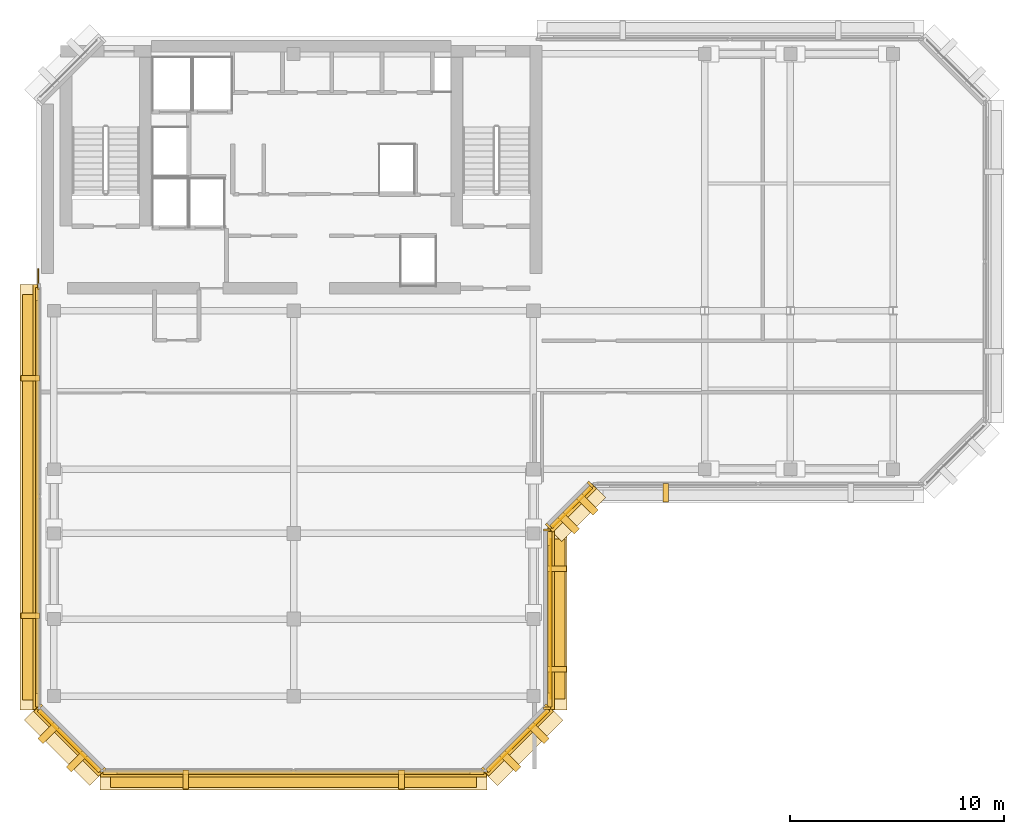
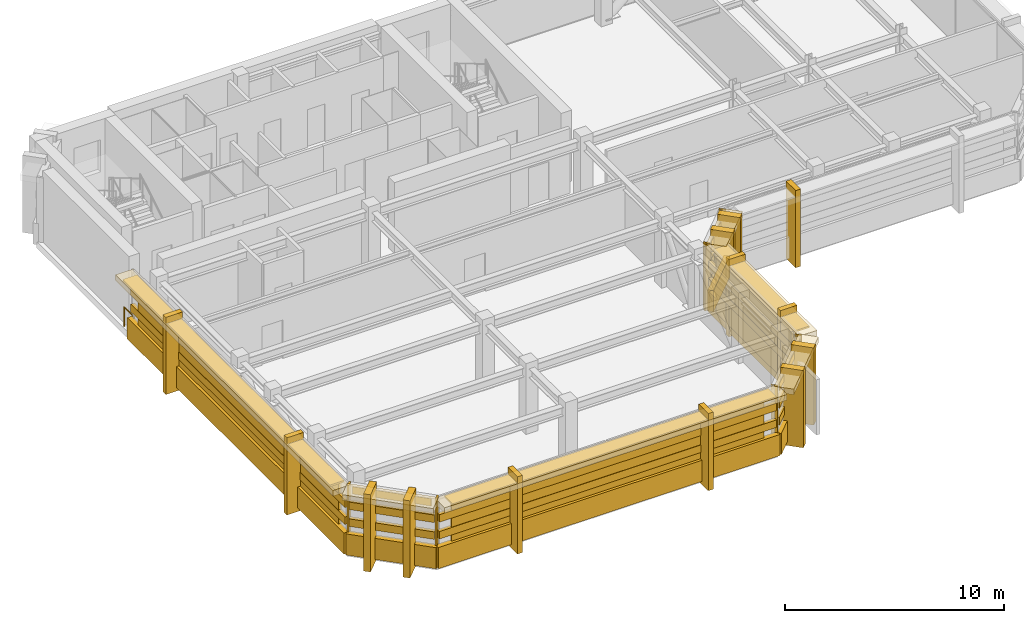
# One storey, part 7 of 9: 49 coverings, 6 shading devices, 1 railing.
"""IFC4 building model written with IfcOpenShell, lengths in metres."""

from ifc_helpers import new_model, si_unit, direction, frame, origin, origin_2d, place, context, subcontext, project, spatial, rectangle, circle, extrude, material, layer, layer_set, type_object, element, save


model = new_model("IFC4")

# Units and contexts
model_context = context("Model", 3, precision=1e-05, world=origin(), true_north=direction((0.0, 1.0)))
body_context = subcontext(model_context, "Body", "Model", "MODEL_VIEW")
ifc_project = project(units=[si_unit("LENGTHUNIT", "METRE"), si_unit("AREAUNIT", "SQUARE_METRE"), si_unit("VOLUMEUNIT", "CUBIC_METRE"), si_unit("PLANEANGLEUNIT", "RADIAN"), si_unit("MASSUNIT", "GRAM", prefix="KILO")], contexts=[model_context])

# Site, building, storey
site_placement = place(None, origin())
site = spatial("IfcSite", under=ifc_project, at=site_placement, CompositionType="ELEMENT")
building_placement = place(site_placement, origin())
building = spatial("IfcBuilding", under=site, at=building_placement, Name="Kefirva Bronze Tower", CompositionType="ELEMENT")
storey_placement = place(building_placement, frame((0.0, 0.0, 365.969970703125)))
storey = spatial("IfcBuildingStorey", under=building, at=storey_placement, Name="L89", CompositionType="ELEMENT", Elevation=365.969970703125)

# Coverings
ifc_material_1 = material(Name="Bronze anodised aluminium", Category="aluminium")
ifc_layer_1 = layer(ifc_material_1, 0.02001953125, Name="Bronze anodised aluminium")
ifc_layer_set_1 = layer_set([ifc_layer_1], Name="Bronze anodised aluminium")
covering_type_1 = type_object("IfcCoveringType", Name="Anodised Bronze Spandrel Cladding 20mm", PredefinedType="CLADDING", material=ifc_layer_set_1)
covering_1_placement = place(storey_placement, frame((12.0, 11.56005859375, -0.16015625), z_axis=(0.0, 0.0, 1.0), x_axis=(1.0, 0.0, 0.0)))
element("IfcCovering", 1, at=covering_1_placement, inside=storey, type_object=covering_type_1, Name="L89 Streamline Horizontal Spandrel Band 0", PredefinedType="CLADDING", context=body_context, shape_type="SweptSolid", body=[
    extrude(rectangle(XDim=18.0400390625, YDim=0.280029296875, at=origin_2d()), origin(), (0.0, 0.0, 1.0), 1.179931640625),
])
for number, where, z_axis, x_axis, name in (
    (2, (12.0, 11.639892578125, 1.37841796875), (0.0, 0.0, 1.0), (1.0, 0.0, 0.0), "L89 Recessed Zone-Break Bronze Louvre Band 0-1"),
    (3, (12.0, 11.639892578125, 2.317138671875), (0.0, 0.0, 1.0), (1.0, 0.0, 0.0), "L89 Recessed Zone-Break Bronze Louvre Band 0-2"),
):
    element("IfcCovering", number, at=place(storey_placement, frame(where, z_axis=z_axis, x_axis=x_axis)), inside=storey, type_object=covering_type_1, Name=name, PredefinedType="CLADDING", context=body_context, shape_type="SweptSolid", body=[
        extrude(rectangle(XDim=17.800048828125, YDim=0.199951171875, at=origin_2d()), origin(), (0.0, 0.0, 1.0), 0.419921875),
    ])
covering_2_placement = place(storey_placement, frame((22.507080078125, 13.093017578125, 3.190185546875), z_axis=(0.0, 0.0, 1.0), x_axis=(0.707106781187, 0.707106781187, 0.0)))
element("IfcCovering", 4, at=covering_2_placement, inside=storey, type_object=covering_type_1, Name="L89 Bronze Spandrel Cladding 1", PredefinedType="CLADDING", context=body_context, shape_type="SweptSolid", body=[
    extrude(rectangle(XDim=3.719482421875, YDim=0.02001953125, at=origin_2d()), origin(), (0.0, 0.0, 1.0), 0.39990234375),
])
for number, where, z_axis, x_axis, name in (
    (5, (20.91162109375, 11.73779296875, 0.0), (0.0, 0.0, 1.0), (0.707106781187, 0.707106781187, 0.0), "L89 Facade Joint Closure Panel 1S"),
    (6, (23.862060546875, 14.688232421875, 0.0), (0.0, 0.0, 1.0), (0.707106781187, 0.707106781187, 0.0), "L89 Facade Joint Closure Panel 1E"),
):
    element("IfcCovering", number, at=place(storey_placement, frame(where, z_axis=z_axis, x_axis=x_axis)), inside=storey, type_object=covering_type_1, Name=name, PredefinedType="CLADDING", context=body_context, shape_type="SweptSolid", body=[
        extrude(rectangle(XDim=0.10009765625, YDim=0.320068359375, at=origin_2d()), origin(), (0.0, 0.0, 1.0), 3.610107421875),
    ])
covering_3_placement = place(storey_placement, frame((22.5283203125, 13.07177734375, -0.16015625), z_axis=(0.0, 0.0, 1.0), x_axis=(0.707106781187, 0.707106781187, 0.0)))
element("IfcCovering", 7, at=covering_3_placement, inside=storey, type_object=covering_type_1, Name="L89 Streamline Horizontal Spandrel Band 1", PredefinedType="CLADDING", context=body_context, shape_type="SweptSolid", body=[
    extrude(rectangle(XDim=4.28271484375, YDim=0.280029296875, at=origin_2d()), origin(), (0.0, 0.0, 1.0), 1.179931640625),
])
for number, where, z_axis, x_axis, name in (
    (8, (22.4716796875, 13.12841796875, 1.37841796875), (0.0, 0.0, 1.0), (0.707106781187, 0.707106781187, 0.0), "L89 Recessed Zone-Break Bronze Louvre Band 1-1"),
    (9, (22.4716796875, 13.12841796875, 2.317138671875), (0.0, 0.0, 1.0), (0.707106781187, 0.707106781187, 0.0), "L89 Recessed Zone-Break Bronze Louvre Band 1-2"),
):
    element("IfcCovering", number, at=place(storey_placement, frame(where, z_axis=z_axis, x_axis=x_axis)), inside=storey, type_object=covering_type_1, Name=name, PredefinedType="CLADDING", context=body_context, shape_type="SweptSolid", body=[
        extrude(rectangle(XDim=4.04248046875, YDim=0.199951171875, at=origin_2d()), origin(), (0.0, 0.0, 1.0), 0.419921875),
    ])
covering_4_placement = place(storey_placement, frame((24.010009765625, 18.800048828125, 3.190185546875), z_axis=(0.0, 0.0, 1.0), x_axis=(0.0, 1.0, 0.0)))
element("IfcCovering", 10, at=covering_4_placement, inside=storey, type_object=covering_type_1, Name="L89 Bronze Spandrel Cladding 2", PredefinedType="CLADDING", context=body_context, shape_type="SweptSolid", body=[
    extrude(rectangle(XDim=7.4609375, YDim=0.02001953125, at=origin_2d()), origin(), (0.0, 0.0, 1.0), 0.39990234375),
])
for number, where, z_axis, x_axis, name in (
    (11, (23.840087890625, 14.635009765625, 0.0), (0.0, 0.0, 1.0), (0.0, 1.0, 0.0), "L89 Facade Joint Closure Panel 2S"),
    (12, (23.840087890625, 22.965087890625, 0.0), (0.0, 0.0, 1.0), (0.0, 1.0, 0.0), "L89 Facade Joint Closure Panel 2E"),
):
    element("IfcCovering", number, at=place(storey_placement, frame(where, z_axis=z_axis, x_axis=x_axis)), inside=storey, type_object=covering_type_1, Name=name, PredefinedType="CLADDING", context=body_context, shape_type="SweptSolid", body=[
        extrude(rectangle(XDim=0.10009765625, YDim=0.320068359375, at=origin_2d()), origin(), (0.0, 0.0, 1.0), 3.610107421875),
    ])
covering_5_placement = place(storey_placement, frame((24.0400390625, 18.800048828125, -0.16015625), z_axis=(0.0, 0.0, 1.0), x_axis=(0.0, 1.0, 0.0)))
element("IfcCovering", 13, at=covering_5_placement, inside=storey, type_object=covering_type_1, Name="L89 Streamline Horizontal Spandrel Band 2", PredefinedType="CLADDING", context=body_context, shape_type="SweptSolid", body=[
    extrude(rectangle(XDim=8.43994140625, YDim=0.280029296875, at=origin_2d()), origin(), (0.0, 0.0, 1.0), 1.179931640625),
])
for number, where, z_axis, x_axis, name in (
    (14, (23.9599609375, 18.800048828125, 1.37841796875), (0.0, 0.0, 1.0), (0.0, 1.0, 0.0), "L89 Recessed Zone-Break Bronze Louvre Band 2-1"),
    (15, (23.9599609375, 18.800048828125, 2.317138671875), (0.0, 0.0, 1.0), (0.0, 1.0, 0.0), "L89 Recessed Zone-Break Bronze Louvre Band 2-2"),
):
    element("IfcCovering", number, at=place(storey_placement, frame(where, z_axis=z_axis, x_axis=x_axis)), inside=storey, type_object=covering_type_1, Name=name, PredefinedType="CLADDING", context=body_context, shape_type="SweptSolid", body=[
        extrude(rectangle(XDim=8.199951171875, YDim=0.199951171875, at=origin_2d()), origin(), (0.0, 0.0, 1.0), 0.419921875),
    ])
covering_6_placement = place(storey_placement, frame((25.007080078125, 23.992919921875, 3.190185546875), z_axis=(0.0, 0.0, 1.0), x_axis=(0.707106781187, 0.707106781187, 0.0)))
element("IfcCovering", 16, at=covering_6_placement, inside=storey, type_object=covering_type_1, Name="L89 Bronze Spandrel Cladding 3", PredefinedType="CLADDING", context=body_context, shape_type="SweptSolid", body=[
    extrude(rectangle(XDim=2.446533203125, YDim=0.02001953125, at=origin_2d()), origin(), (0.0, 0.0, 1.0), 0.39990234375),
])
for number, where, z_axis, x_axis, name in (
    (17, (23.91162109375, 23.137939453125, 0.0), (0.0, 0.0, 1.0), (0.707106781187, 0.707106781187, 0.0), "L89 Facade Joint Closure Panel 3S"),
    (18, (25.862060546875, 25.08837890625, 0.0), (0.0, 0.0, 1.0), (0.707106781187, 0.707106781187, 0.0), "L89 Facade Joint Closure Panel 3E"),
):
    element("IfcCovering", number, at=place(storey_placement, frame(where, z_axis=z_axis, x_axis=x_axis)), inside=storey, type_object=covering_type_1, Name=name, PredefinedType="CLADDING", context=body_context, shape_type="SweptSolid", body=[
        extrude(rectangle(XDim=0.10009765625, YDim=0.320068359375, at=origin_2d()), origin(), (0.0, 0.0, 1.0), 3.610107421875),
    ])
covering_7_placement = place(storey_placement, frame((25.0283203125, 23.9716796875, -0.16015625), z_axis=(0.0, 0.0, 1.0), x_axis=(0.707106781187, 0.707106781187, 0.0)))
element("IfcCovering", 19, at=covering_7_placement, inside=storey, type_object=covering_type_1, Name="L89 Streamline Horizontal Spandrel Band 3", PredefinedType="CLADDING", context=body_context, shape_type="SweptSolid", body=[
    extrude(rectangle(XDim=2.868408203125, YDim=0.280029296875, at=origin_2d()), origin(), (0.0, 0.0, 1.0), 1.179931640625),
])
for number, where, z_axis, x_axis, name in (
    (20, (24.9716796875, 24.0283203125, 1.37841796875), (0.0, 0.0, 1.0), (0.707106781187, 0.707106781187, 0.0), "L89 Recessed Zone-Break Bronze Louvre Band 3-1"),
    (21, (24.9716796875, 24.0283203125, 2.317138671875), (0.0, 0.0, 1.0), (0.707106781187, 0.707106781187, 0.0), "L89 Recessed Zone-Break Bronze Louvre Band 3-2"),
):
    element("IfcCovering", number, at=place(storey_placement, frame(where, z_axis=z_axis, x_axis=x_axis)), inside=storey, type_object=covering_type_1, Name=name, PredefinedType="CLADDING", context=body_context, shape_type="SweptSolid", body=[
        extrude(rectangle(XDim=2.62841796875, YDim=0.199951171875, at=origin_2d()), origin(), (0.0, 0.0, 1.0), 0.419921875),
    ])
covering_8_placement = place(storey_placement, frame((-0.0400390625, 24.49755859375, -0.16015625), z_axis=(0.0, 0.0, 1.0), x_axis=(0.0, -1.0, 0.0)))
element("IfcCovering", 22, at=covering_8_placement, inside=storey, type_object=covering_type_1, Name="L89 Streamline Horizontal Spandrel Band 10", PredefinedType="CLADDING", context=body_context, shape_type="SweptSolid", body=[
    extrude(rectangle(XDim=19.8349609375, YDim=0.280029296875, at=origin_2d()), origin(), (0.0, 0.0, 1.0), 1.179931640625),
])
for number, where, z_axis, x_axis, name in (
    (23, (0.0400390625, 24.49755859375, 1.37841796875), (0.0, 0.0, 1.0), (0.0, -1.0, 0.0), "L89 Recessed Zone-Break Bronze Louvre Band 10-1"),
    (24, (0.0400390625, 24.49755859375, 2.317138671875), (0.0, 0.0, 1.0), (0.0, -1.0, 0.0), "L89 Recessed Zone-Break Bronze Louvre Band 10-2"),
):
    element("IfcCovering", number, at=place(storey_placement, frame(where, z_axis=z_axis, x_axis=x_axis)), inside=storey, type_object=covering_type_1, Name=name, PredefinedType="CLADDING", context=body_context, shape_type="SweptSolid", body=[
        extrude(rectangle(XDim=19.594970703125, YDim=0.199951171875, at=origin_2d()), origin(), (0.0, 0.0, 1.0), 0.419921875),
    ])
covering_9_placement = place(storey_placement, frame((1.492919921875, 13.093017578125, 3.190185546875), z_axis=(0.0, 0.0, 1.0), x_axis=(0.707106781187, -0.707106781187, 0.0)))
element("IfcCovering", 25, at=covering_9_placement, inside=storey, type_object=covering_type_1, Name="L89 Bronze Spandrel Cladding 7", PredefinedType="CLADDING", context=body_context, shape_type="SweptSolid", body=[
    extrude(rectangle(XDim=3.719482421875, YDim=0.02001953125, at=origin_2d()), origin(), (0.0, 0.0, 1.0), 0.39990234375),
])
for number, where, z_axis, x_axis, name in (
    (26, (0.137939453125, 14.688232421875, 0.0), (0.0, 0.0, 1.0), (0.707106781187, -0.707106781187, 0.0), "L89 Facade Joint Closure Panel 7S"),
    (27, (3.08837890625, 11.73779296875, 0.0), (0.0, 0.0, 1.0), (0.707106781187, -0.707106781187, 0.0), "L89 Facade Joint Closure Panel 7E"),
):
    element("IfcCovering", number, at=place(storey_placement, frame(where, z_axis=z_axis, x_axis=x_axis)), inside=storey, type_object=covering_type_1, Name=name, PredefinedType="CLADDING", context=body_context, shape_type="SweptSolid", body=[
        extrude(rectangle(XDim=0.10009765625, YDim=0.320068359375, at=origin_2d()), origin(), (0.0, 0.0, 1.0), 3.610107421875),
    ])
covering_10_placement = place(storey_placement, frame((1.4716796875, 13.07177734375, -0.16015625), z_axis=(0.0, 0.0, 1.0), x_axis=(0.707106781187, -0.707106781187, 0.0)))
element("IfcCovering", 28, at=covering_10_placement, inside=storey, type_object=covering_type_1, Name="L89 Streamline Horizontal Spandrel Band 11", PredefinedType="CLADDING", context=body_context, shape_type="SweptSolid", body=[
    extrude(rectangle(XDim=4.28271484375, YDim=0.280029296875, at=origin_2d()), origin(), (0.0, 0.0, 1.0), 1.179931640625),
])
for number, where, z_axis, x_axis, name in (
    (29, (1.5283203125, 13.12841796875, 1.37841796875), (0.0, 0.0, 1.0), (0.707106781187, -0.707106781187, 0.0), "L89 Recessed Zone-Break Bronze Louvre Band 11-1"),
    (30, (1.5283203125, 13.12841796875, 2.317138671875), (0.0, 0.0, 1.0), (0.707106781187, -0.707106781187, 0.0), "L89 Recessed Zone-Break Bronze Louvre Band 11-2"),
):
    element("IfcCovering", number, at=place(storey_placement, frame(where, z_axis=z_axis, x_axis=x_axis)), inside=storey, type_object=covering_type_1, Name=name, PredefinedType="CLADDING", context=body_context, shape_type="SweptSolid", body=[
        extrude(rectangle(XDim=4.04248046875, YDim=0.199951171875, at=origin_2d()), origin(), (0.0, 0.0, 1.0), 0.419921875),
    ])

# Shading devices
ifc_layer_2 = layer(ifc_material_1, 0.090087890625, Name="Bronze anodised aluminium")
ifc_layer_set_2 = layer_set([ifc_layer_2], Name="Bronze anodised aluminium")
shading_device_type_1 = type_object("IfcShadingDeviceType", Name="Horizontal Bronze Sunshade Band 750mm", PredefinedType="JALOUSIE", material=ifc_layer_set_2)
shading_device_1_placement = place(storey_placement, frame((12.0, 11.304931640625, 3.5048828125), z_axis=(0.0, 0.0, 1.0), x_axis=(1.0, 0.0, 0.0)))
element("IfcShadingDevice", 31, at=shading_device_1_placement, inside=storey, type_object=shading_device_type_1, Name="L89 Horizontal Bronze Sunshade Band 0", PredefinedType="JALOUSIE", context=body_context, shape_type="SweptSolid", body=[
    extrude(rectangle(XDim=17.090087890625, YDim=0.75, at=origin_2d()), origin(), (0.0, 0.0, 1.0), 0.090087890625),
])
shading_device_2_placement = place(storey_placement, frame((24.294921875, 18.800048828125, 3.5048828125), z_axis=(0.0, 0.0, 1.0), x_axis=(0.0, 1.0, 0.0)))
element("IfcShadingDevice", 32, at=shading_device_2_placement, inside=storey, type_object=shading_device_type_1, Name="L89 Horizontal Bronze Sunshade Band 2", PredefinedType="JALOUSIE", context=body_context, shape_type="SweptSolid", body=[
    extrude(rectangle(XDim=7.489990234375, YDim=0.75, at=origin_2d()), origin(), (0.0, 0.0, 1.0), 0.090087890625),
])
shading_device_3_placement = place(storey_placement, frame((-0.294921875, 24.49755859375, 3.5048828125), z_axis=(0.0, 0.0, 1.0), x_axis=(0.0, -1.0, 0.0)))
element("IfcShadingDevice", 33, at=shading_device_3_placement, inside=storey, type_object=shading_device_type_1, Name="L89 Horizontal Bronze Sunshade Band 10", PredefinedType="JALOUSIE", context=body_context, shape_type="SweptSolid", body=[
    extrude(rectangle(XDim=18.93994140625, YDim=0.75, at=origin_2d()), origin(), (0.0, 0.0, 1.0), 0.090087890625),
])

# Railing
ifc_material_2 = material(Name="Stainless steel 316", Category="steel")
railing_type = type_object("IfcRailingType", Name="Interior Stair Guardrail 1100mm", PredefinedType="GUARDRAIL", material=ifc_material_2)
railing_placement = place(storey_placement, frame((0.080078125, 34.199951171875, 0.0)))
element("IfcRailing", 34, at=railing_placement, inside=storey, type_object=railing_type, Name="L89 West Core Junction Guardrail", PredefinedType="GUARDRAIL", context=body_context, shape_type="SweptSolid", body=[
    extrude(circle(Radius=0.02392578125, at=origin_2d()), frame((0.0, 0.0, 1.076171875), z_axis=(0.0, 1.0, 0.0), x_axis=(-1.0, 0.0, 0.0)), (0.0, 0.0, 1.0), 0.949951171875),
    extrude(circle(Radius=0.02099609375, at=origin_2d()), origin(), (0.0, 0.0, 1.0), 1.052001953125),
    extrude(circle(Radius=0.02099609375, at=origin_2d()), frame((0.0, 0.949951171875, 0.0)), (0.0, 0.0, 1.0), 1.052001953125),
])

# Shading devices
ifc_layer_3 = layer(ifc_material_1, 0.159912109375, Name="Bronze anodised aluminium")
ifc_layer_set_3 = layer_set([ifc_layer_3], Name="Bronze anodised aluminium")
shading_device_type_2 = type_object("IfcShadingDeviceType", Name="Recessed Zone-Break Acoustic Louvre Screen", PredefinedType="SHUTTER", material=ifc_layer_set_3)
shading_device_4_placement = place(storey_placement, frame((12.0, 11.639892578125, 0.25), z_axis=(0.0, 0.0, 1.0), x_axis=(1.0, 0.0, 0.0)))
element("IfcShadingDevice", 35, at=shading_device_4_placement, inside=storey, type_object=shading_device_type_2, Name="L89 Acoustic Plant Louvre Screen 0", PredefinedType="SHUTTER", context=body_context, shape_type="SweptSolid", body=[
    extrude(rectangle(XDim=16.489990234375, YDim=0.159912109375, at=origin_2d()), origin(), (0.0, 0.0, 1.0), 3.110107421875),
])
shading_device_5_placement = place(storey_placement, frame((23.9599609375, 18.800048828125, 0.25), z_axis=(0.0, 0.0, 1.0), x_axis=(0.0, 1.0, 0.0)))
element("IfcShadingDevice", 36, at=shading_device_5_placement, inside=storey, type_object=shading_device_type_2, Name="L89 Acoustic Plant Louvre Screen 2", PredefinedType="SHUTTER", context=body_context, shape_type="SweptSolid", body=[
    extrude(rectangle(XDim=6.889892578125, YDim=0.159912109375, at=origin_2d()), origin(), (0.0, 0.0, 1.0), 3.110107421875),
])
shading_device_6_placement = place(storey_placement, frame((0.0400390625, 24.49755859375, 0.25), z_axis=(0.0, 0.0, 1.0), x_axis=(0.0, -1.0, 0.0)))
element("IfcShadingDevice", 37, at=shading_device_6_placement, inside=storey, type_object=shading_device_type_2, Name="L89 Acoustic Plant Louvre Screen 10", PredefinedType="SHUTTER", context=body_context, shape_type="SweptSolid", body=[
    extrude(rectangle(XDim=18.340087890625, YDim=0.159912109375, at=origin_2d()), origin(), (0.0, 0.0, 1.0), 3.110107421875),
])

# Coverings
ifc_layer_4 = layer(ifc_material_1, 0.179931640625, Name="Bronze anodised aluminium")
ifc_layer_set_4 = layer_set([ifc_layer_4], Name="Bronze anodised aluminium")
covering_type_2 = type_object("IfcCoveringType", Name="Streamline Bronze Sunshade Eyebrow Cladding 180mm", PredefinedType="CLADDING", material=ifc_layer_set_4)
covering_11_placement = place(storey_placement, frame((12.0, 11.2900390625, 3.2900390625), z_axis=(0.0, 0.0, 1.0), x_axis=(1.0, 0.0, 0.0)))
element("IfcCovering", 38, at=covering_11_placement, inside=storey, type_object=covering_type_2, Name="L89 Streamline Bronze Sunshade Eyebrow 0", PredefinedType="CLADDING", context=body_context, shape_type="SweptSolid", body=[
    extrude(rectangle(XDim=18.080078125, YDim=0.93994140625, at=origin_2d()), origin(), (0.0, 0.0, 1.0), 0.320068359375),
])
covering_12_placement = place(storey_placement, frame((22.71923828125, 12.880859375, 3.2900390625), z_axis=(0.0, 0.0, 1.0), x_axis=(0.707106781187, 0.707106781187, 0.0)))
element("IfcCovering", 39, at=covering_12_placement, inside=storey, type_object=covering_type_2, Name="L89 Streamline Bronze Sunshade Eyebrow 1", PredefinedType="CLADDING", context=body_context, shape_type="SweptSolid", body=[
    extrude(rectangle(XDim=4.322509765625, YDim=0.93994140625, at=origin_2d()), origin(), (0.0, 0.0, 1.0), 0.320068359375),
])
covering_13_placement = place(storey_placement, frame((24.31005859375, 18.800048828125, 3.2900390625), z_axis=(0.0, 0.0, 1.0), x_axis=(0.0, 1.0, 0.0)))
element("IfcCovering", 40, at=covering_13_placement, inside=storey, type_object=covering_type_2, Name="L89 Streamline Bronze Sunshade Eyebrow 2", PredefinedType="CLADDING", context=body_context, shape_type="SweptSolid", body=[
    extrude(rectangle(XDim=8.47998046875, YDim=0.93994140625, at=origin_2d()), origin(), (0.0, 0.0, 1.0), 0.320068359375),
])
covering_14_placement = place(storey_placement, frame((25.21923828125, 23.78076171875, 3.2900390625), z_axis=(0.0, 0.0, 1.0), x_axis=(0.707106781187, 0.707106781187, 0.0)))
element("IfcCovering", 41, at=covering_14_placement, inside=storey, type_object=covering_type_2, Name="L89 Streamline Bronze Sunshade Eyebrow 3", PredefinedType="CLADDING", context=body_context, shape_type="SweptSolid", body=[
    extrude(rectangle(XDim=2.908447265625, YDim=0.93994140625, at=origin_2d()), origin(), (0.0, 0.0, 1.0), 0.320068359375),
])
covering_15_placement = place(storey_placement, frame((-0.31005859375, 24.49755859375, 3.2900390625), z_axis=(0.0, 0.0, 1.0), x_axis=(0.0, -1.0, 0.0)))
element("IfcCovering", 42, at=covering_15_placement, inside=storey, type_object=covering_type_2, Name="L89 Streamline Bronze Sunshade Eyebrow 10", PredefinedType="CLADDING", context=body_context, shape_type="SweptSolid", body=[
    extrude(rectangle(XDim=19.875, YDim=0.93994140625, at=origin_2d()), origin(), (0.0, 0.0, 1.0), 0.320068359375),
])
covering_16_placement = place(storey_placement, frame((1.28076171875, 12.880859375, 3.2900390625), z_axis=(0.0, 0.0, 1.0), x_axis=(0.707106781187, -0.707106781187, 0.0)))
element("IfcCovering", 43, at=covering_16_placement, inside=storey, type_object=covering_type_2, Name="L89 Streamline Bronze Sunshade Eyebrow 11", PredefinedType="CLADDING", context=body_context, shape_type="SweptSolid", body=[
    extrude(rectangle(XDim=4.322509765625, YDim=0.93994140625, at=origin_2d()), origin(), (0.0, 0.0, 1.0), 0.320068359375),
])
ifc_layer_5 = layer(ifc_material_1, 0.260009765625, Name="Bronze anodised aluminium")
ifc_layer_set_5 = layer_set([ifc_layer_5], Name="Bronze anodised aluminium")
covering_type_3 = type_object("IfcCoveringType", Name="Unbroken Bronze Buttress Fin Cladding 260mm", PredefinedType="CLADDING", material=ifc_layer_set_5)
for number, where, z_axis, x_axis, name in (
    (44, (6.9599609375, 11.300048828125, -0.35009765625), (0.0, 0.0, 1.0), (1.0, 0.0, 0.0), "L89 Unbroken Vertical Bronze Rib Fin 1"),
    (45, (17.0400390625, 11.300048828125, -0.35009765625), (0.0, 0.0, 1.0), (1.0, 0.0, 0.0), "L89 Unbroken Vertical Bronze Rib Fin 2"),
):
    element("IfcCovering", number, at=place(storey_placement, frame(where, z_axis=z_axis, x_axis=x_axis)), inside=storey, type_object=covering_type_3, Name=name, PredefinedType="CLADDING", context=body_context, shape_type="SweptSolid", body=[
        extrude(rectangle(XDim=0.260009765625, YDim=0.8798828125, at=origin_2d()), origin(), (0.0, 0.0, 1.0), 4.31005859375),
    ])
for number, where, z_axis, x_axis, name in (
    (46, (22.122802734375, 12.1572265625, -0.35009765625), (0.0, 0.0, 1.0), (0.707106781187, 0.707106781187, 0.0), "L89 Chamfered Corner Buttress Fin Cladding 3"),
    (47, (23.44287109375, 13.477294921875, -0.35009765625), (0.0, 0.0, 1.0), (0.707106781187, 0.707106781187, 0.0), "L89 Chamfered Corner Buttress Fin Cladding 4"),
):
    element("IfcCovering", number, at=place(storey_placement, frame(where, z_axis=z_axis, x_axis=x_axis)), inside=storey, type_object=covering_type_3, Name=name, PredefinedType="CLADDING", context=body_context, shape_type="SweptSolid", body=[
        extrude(rectangle(XDim=0.340087890625, YDim=1.080078125, at=origin_2d()), origin(), (0.0, 0.0, 1.0), 4.31005859375),
    ])
for number, where, z_axis, x_axis, name in (
    (48, (24.300048828125, 16.447998046875, -0.35009765625), (0.0, 0.0, 1.0), (0.0, 1.0, 0.0), "L89 Unbroken Vertical Bronze Rib Fin 5"),
    (49, (24.300048828125, 21.152099609375, -0.35009765625), (0.0, 0.0, 1.0), (0.0, 1.0, 0.0), "L89 Unbroken Vertical Bronze Rib Fin 6"),
):
    element("IfcCovering", number, at=place(storey_placement, frame(where, z_axis=z_axis, x_axis=x_axis)), inside=storey, type_object=covering_type_3, Name=name, PredefinedType="CLADDING", context=body_context, shape_type="SweptSolid", body=[
        extrude(rectangle(XDim=0.260009765625, YDim=0.8798828125, at=origin_2d()), origin(), (0.0, 0.0, 1.0), 4.31005859375),
    ])
for number, where, z_axis, x_axis, name in (
    (50, (24.8427734375, 23.277099609375, -0.35009765625), (0.0, 0.0, 1.0), (0.707106781187, 0.707106781187, 0.0), "L89 Chamfered Corner Buttress Fin Cladding 7"),
    (51, (25.722900390625, 24.1572265625, -0.35009765625), (0.0, 0.0, 1.0), (0.707106781187, 0.707106781187, 0.0), "L89 Chamfered Corner Buttress Fin Cladding 8"),
):
    element("IfcCovering", number, at=place(storey_placement, frame(where, z_axis=z_axis, x_axis=x_axis)), inside=storey, type_object=covering_type_3, Name=name, PredefinedType="CLADDING", context=body_context, shape_type="SweptSolid", body=[
        extrude(rectangle(XDim=0.340087890625, YDim=1.080078125, at=origin_2d()), origin(), (0.0, 0.0, 1.0), 4.31005859375),
    ])
for number, where, z_axis, x_axis, name in (
    (52, (29.387939453125, 24.699951171875, -0.35009765625), (0.0, 0.0, 1.0), (1.0, 0.0, 0.0), "L89 Unbroken Vertical Bronze Rib Fin 9"),
    (53, (-0.300048828125, 30.0400390625, -0.35009765625), (0.0, 0.0, 1.0), (0.0, -1.0, 0.0), "L89 Unbroken Vertical Bronze Rib Fin 21"),
    (54, (-0.300048828125, 18.954833984375, -0.35009765625), (0.0, 0.0, 1.0), (0.0, -1.0, 0.0), "L89 Unbroken Vertical Bronze Rib Fin 22"),
):
    element("IfcCovering", number, at=place(storey_placement, frame(where, z_axis=z_axis, x_axis=x_axis)), inside=storey, type_object=covering_type_3, Name=name, PredefinedType="CLADDING", context=body_context, shape_type="SweptSolid", body=[
        extrude(rectangle(XDim=0.260009765625, YDim=0.8798828125, at=origin_2d()), origin(), (0.0, 0.0, 1.0), 4.31005859375),
    ])
for number, where, z_axis, x_axis, name in (
    (55, (0.55712890625, 13.477294921875, -0.35009765625), (0.0, 0.0, 1.0), (0.707106781187, -0.707106781187, 0.0), "L89 Chamfered Corner Buttress Fin Cladding 23"),
    (56, (1.877197265625, 12.1572265625, -0.35009765625), (0.0, 0.0, 1.0), (0.707106781187, -0.707106781187, 0.0), "L89 Chamfered Corner Buttress Fin Cladding 24"),
):
    element("IfcCovering", number, at=place(storey_placement, frame(where, z_axis=z_axis, x_axis=x_axis)), inside=storey, type_object=covering_type_3, Name=name, PredefinedType="CLADDING", context=body_context, shape_type="SweptSolid", body=[
        extrude(rectangle(XDim=0.340087890625, YDim=1.080078125, at=origin_2d()), origin(), (0.0, 0.0, 1.0), 4.31005859375),
    ])

save(model, "model.ifc")
